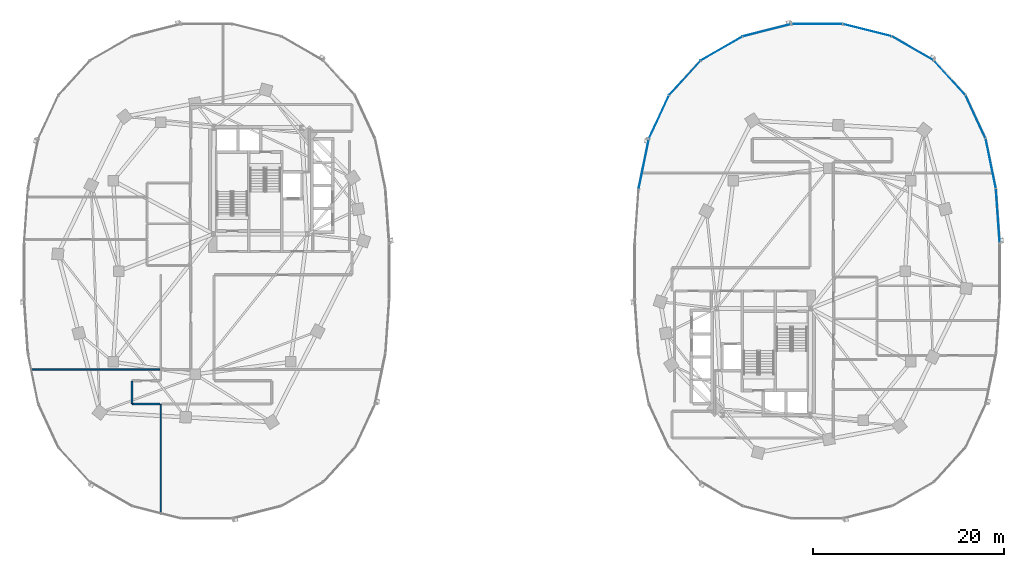
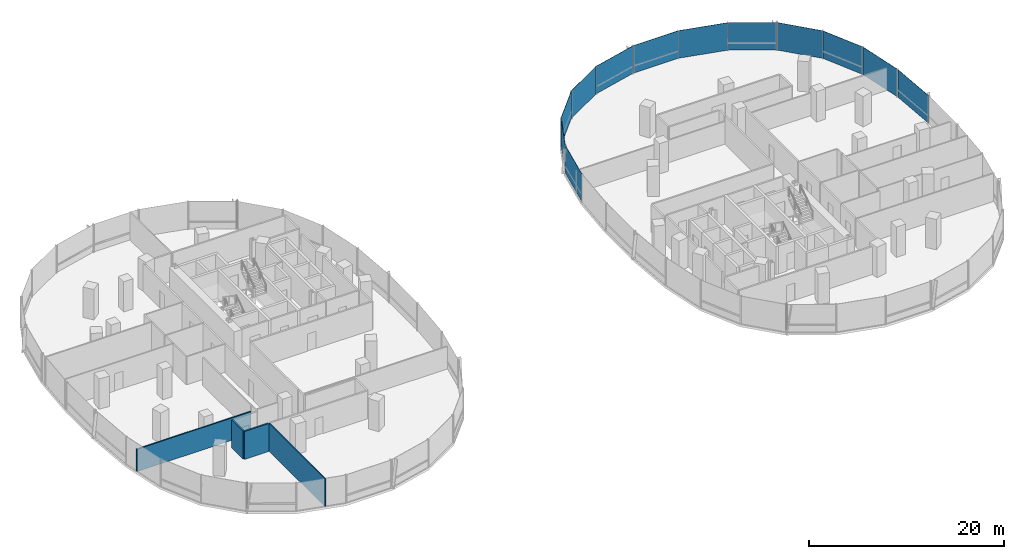
# One storey, part 10 of 21: 12 plates, 4 walls, 2 elements without a shape of their own.
"""IFC4 building model written with IfcOpenShell, lengths in metres."""

from ifc_helpers import new_model, si_unit, direction, frame, frame_2d, origin, origin_2d, place, context, subcontext, project, spatial, rectangle, extrude, material, layer, layer_set, type_object, element, aggregate, save


model = new_model("IFC4")

# Units and contexts
model_context = context("Model", 3, precision=1e-05, world=origin(), true_north=direction((0.0, 1.0)))
body_context = subcontext(model_context, "Body", "Model", "MODEL_VIEW")
ifc_project = project(units=[si_unit("LENGTHUNIT", "METRE"), si_unit("AREAUNIT", "SQUARE_METRE"), si_unit("VOLUMEUNIT", "CUBIC_METRE"), si_unit("PLANEANGLEUNIT", "RADIAN"), si_unit("MASSUNIT", "GRAM", prefix="KILO"), si_unit("THERMODYNAMICTEMPERATUREUNIT", "KELVIN"), si_unit("POWERUNIT", "WATT")], contexts=[model_context])

# Site, building, storey
site_placement = place(None, origin())
site = spatial("IfcSite", under=ifc_project, at=site_placement, CompositionType="ELEMENT")
building_placement = place(site_placement, origin())
building = spatial("IfcBuilding", under=site, at=building_placement, Name="Cundina Bronze Exchange", CompositionType="ELEMENT")
storey_placement = place(building_placement, frame((0.0, 0.0, 54.39990234375)))
storey = spatial("IfcBuildingStorey", under=building, at=storey_placement, Name="L13", CompositionType="ELEMENT", Elevation=54.39990234375)

# Curtain wall, plates
ifc_material_1 = material(Name="Anodised Bronze Aluminium 6063-T6", Category="aluminium")
curtain_wall_type = type_object("IfcCurtainWallType", Name="CWS-TRD-LOW", PredefinedType="NOTDEFINED", material=ifc_material_1)
curtain_wall_1_placement = place(storey_placement, origin())
curtain_wall_1 = element("IfcCurtainWall", 1, at=curtain_wall_1_placement, inside=storey, type_object=curtain_wall_type, Name="L13 CW-02 Curtain Wall Run CWR-L13-E1", PredefinedType="NOTDEFINED")
ifc_material_2 = material(Name="Heat-Strengthened Solar-Control Bronze Safety Glass 28mm", Category="glass")
ifc_layer_1 = layer(ifc_material_2, 0.028076171875, Name="Heat-Strengthened Solar-Control Bronze Safety Glass 28mm", Category="glass")
ifc_layer_set_1 = layer_set([ifc_layer_1], Name="Heat-Strengthened Solar-Control Bronze Safety Glass 28mm")
plate_type_1 = type_object("IfcPlateType", Name="PLT-GLZ-VIS28", PredefinedType="CURTAIN_PANEL", material=ifc_layer_set_1)
plate_1_placement = place(storey_placement, frame((50.9267578125, 5.783935546875, 0.02001953125), z_axis=(0.0, 0.0, 1.0), x_axis=(-0.070278787473, 0.997527389113, 0.0)))
plate_1 = element("IfcPlate", 2, at=plate_1_placement, type_object=plate_type_1, Name="CW-02 Glazed Panel 1", PredefinedType="CURTAIN_PANEL", context=body_context, shape_type="SweptSolid", body=[
    extrude(rectangle(XDim=5.644287109375, YDim=0.028076171875, at=origin_2d()), origin(), (0.0, 0.0, 1.0), 3.4599609375),
])
plate_2_placement = place(storey_placement, frame((48.586181640625, 16.177734375, 0.02001953125), z_axis=(0.0, 0.0, 1.0), x_axis=(-0.42084583328, 0.907132175932, 0.0)))
plate_2 = element("IfcPlate", 3, at=plate_2_placement, type_object=plate_type_1, Name="CW-02 Glazed Panel 3", PredefinedType="CURTAIN_PANEL", context=body_context, shape_type="SweptSolid", body=[
    extrude(rectangle(XDim=4.966552734375, YDim=0.028076171875, at=origin_2d()), origin(), (0.0, 0.0, 1.0), 3.4599609375),
])
plate_3_placement = place(storey_placement, frame((45.8740234375, 20.267333984375, 0.02001953125), z_axis=(0.0, 0.0, 1.0), x_axis=(-0.674276610219, 0.73847887777, 0.0)))
plate_3 = element("IfcPlate", 4, at=plate_3_placement, type_object=plate_type_1, Name="CW-02 Glazed Panel 4", PredefinedType="CURTAIN_PANEL", context=body_context, shape_type="SweptSolid", body=[
    extrude(rectangle(XDim=4.86328125, YDim=0.028076171875, at=origin_2d()), origin(), (0.0, 0.0, 1.0), 3.4599609375),
])
plate_4_placement = place(storey_placement, frame((42.019287109375, 23.34423828125, 0.02001953125), z_axis=(0.0, 0.0, 1.0), x_axis=(-0.867105478933, 0.498124571171, 0.0)))
plate_4 = element("IfcPlate", 5, at=plate_4_placement, type_object=plate_type_1, Name="CW-02 Glazed Panel 5", PredefinedType="CURTAIN_PANEL", context=body_context, shape_type="SweptSolid", body=[
    extrude(rectangle(XDim=5.021240234375, YDim=0.028076171875, at=origin_2d()), origin(), (0.0, 0.0, 1.0), 3.4599609375),
])
plate_5_placement = place(storey_placement, frame((37.255615234375, 25.256591796875, 0.02001953125), z_axis=(0.0, 0.0, 1.0), x_axis=(-0.969488149345, 0.245138182011, 0.0)))
plate_5 = element("IfcPlate", 6, at=plate_5_placement, type_object=plate_type_1, Name="CW-02 Glazed Panel 6", PredefinedType="CURTAIN_PANEL", context=body_context, shape_type="SweptSolid", body=[
    extrude(rectangle(XDim=5.2333984375, YDim=0.028076171875, at=origin_2d()), origin(), (0.0, 0.0, 1.0), 3.4599609375),
])

curtain_wall_2_placement = place(storey_placement, origin())
curtain_wall_2 = element("IfcCurtainWall", 7, at=curtain_wall_2_placement, inside=storey, type_object=curtain_wall_type, Name="L13 CW-02 Curtain Wall Run CWR-L13-E2", PredefinedType="NOTDEFINED")
plate_6_placement = place(storey_placement, frame((21.980712890625, 23.34423828125, 0.02001953125), z_axis=(0.0, 0.0, 1.0), x_axis=(-0.867105478933, -0.498124571171, 0.0)))
plate_6 = element("IfcPlate", 8, at=plate_6_placement, type_object=plate_type_1, Name="CW-02 Glazed Panel 2", PredefinedType="CURTAIN_PANEL", context=body_context, shape_type="SweptSolid", body=[
    extrude(rectangle(XDim=5.021240234375, YDim=0.028076171875, at=origin_2d()), origin(), (0.0, 0.0, 1.0), 3.4599609375),
])
plate_7_placement = place(storey_placement, frame((18.1259765625, 20.267333984375, 0.02001953125), z_axis=(0.0, 0.0, 1.0), x_axis=(-0.674276610219, -0.73847887777, 0.0)))
plate_7 = element("IfcPlate", 9, at=plate_7_placement, type_object=plate_type_1, Name="CW-02 Glazed Panel 3", PredefinedType="CURTAIN_PANEL", context=body_context, shape_type="SweptSolid", body=[
    extrude(rectangle(XDim=4.86328125, YDim=0.028076171875, at=origin_2d()), origin(), (0.0, 0.0, 1.0), 3.4599609375),
])
plate_8_placement = place(storey_placement, frame((15.413818359375, 16.177734375, 0.02001953125), z_axis=(0.0, 0.0, 1.0), x_axis=(-0.42084583328, -0.907132175932, 0.0)))
plate_8 = element("IfcPlate", 10, at=plate_8_placement, type_object=plate_type_1, Name="CW-02 Glazed Panel 4", PredefinedType="CURTAIN_PANEL", context=body_context, shape_type="SweptSolid", body=[
    extrude(rectangle(XDim=4.966552734375, YDim=0.028076171875, at=origin_2d()), origin(), (0.0, 0.0, 1.0), 3.4599609375),
])
plate_9_placement = place(storey_placement, frame((13.81591796875, 11.269775390625, 0.02001953125), z_axis=(0.0, 0.0, 1.0), x_axis=(-0.201419845156, -0.979505000486, 0.0)))
plate_9 = element("IfcPlate", 11, at=plate_9_placement, type_object=plate_type_1, Name="CW-02 Glazed Panel 5", PredefinedType="CURTAIN_PANEL", context=body_context, shape_type="SweptSolid", body=[
    extrude(rectangle(XDim=5.306640625, YDim=0.028076171875, at=origin_2d()), origin(), (0.0, 0.0, 1.0), 3.4599609375),
])

# Plate
ifc_material_3 = material(Name="Dark Bronze Spandrel Glass Panel 32mm", Category="glass")
ifc_layer_2 = layer(ifc_material_3, 0.031982421875, Name="Dark Bronze Spandrel Glass Panel 32mm", Category="glass")
ifc_layer_set_2 = layer_set([ifc_layer_2], Name="Dark Bronze Spandrel Glass Panel 32mm")
plate_type_2 = type_object("IfcPlateType", Name="PLT-SPN-BRZ32", PredefinedType="CURTAIN_PANEL", material=ifc_layer_set_2)
plate_10_placement = place(storey_placement, frame((50.18408203125, 11.269775390625, 0.02001953125), z_axis=(0.0, 0.0, 1.0), x_axis=(-0.201419845156, 0.979505000486, 0.0)))
plate_10 = element("IfcPlate", 12, at=plate_10_placement, type_object=plate_type_2, Name="CW-02 Glazed Panel 2", PredefinedType="CURTAIN_PANEL", context=body_context, shape_type="SweptSolid", body=[
    extrude(rectangle(XDim=5.306640625, YDim=0.031982421875, at=origin_2d()), origin(), (0.0, 0.0, 1.0), 3.4599609375),
])

plate_11_placement = place(storey_placement, frame((32.0, 25.905029296875, 0.02001953125), z_axis=(0.0, 0.0, 1.0), x_axis=(-1.0, 0.0, 0.0)))
plate_11 = element("IfcPlate", 13, at=plate_11_placement, type_object=plate_type_2, Name="CW-02 Glazed Panel 7", PredefinedType="CURTAIN_PANEL", context=body_context, shape_type="SweptSolid", body=[
    extrude(rectangle(XDim=5.323974609375, YDim=0.031982421875, at=origin_2d()), origin(), (0.0, 0.0, 1.0), 3.4599609375),
])

aggregate(curtain_wall_1, [plate_1, plate_10, plate_2, plate_3, plate_4, plate_5, plate_11])

plate_12_placement = place(storey_placement, frame((26.744384765625, 25.256591796875, 0.02001953125), z_axis=(0.0, 0.0, 1.0), x_axis=(-0.969488149345, -0.245138182011, 0.0)))
plate_12 = element("IfcPlate", 14, at=plate_12_placement, type_object=plate_type_2, Name="CW-02 Glazed Panel 1", PredefinedType="CURTAIN_PANEL", context=body_context, shape_type="SweptSolid", body=[
    extrude(rectangle(XDim=5.2333984375, YDim=0.031982421875, at=origin_2d()), origin(), (0.0, 0.0, 1.0), 3.4599609375),
])

aggregate(curtain_wall_2, [plate_12, plate_6, plate_7, plate_8, plate_9])

# Walls
ifc_material_4 = material(Name="Gypsum Fireboard Partition EI120")
ifc_layer_3 = layer(ifc_material_4, 0.179931640625, Name="Gypsum Fireboard Partition EI120")
ifc_layer_set_3 = layer_set([ifc_layer_3], Name="Gypsum Fireboard Partition EI120")
wall_type_1 = type_object("IfcWallType", Name="WL-COR-180", PredefinedType="PARTITIONING", material=ifc_layer_set_3)
wall_1_placement = place(storey_placement, frame((-39.778564453125, -13.919921875, 0.0), z_axis=(0.0, 0.0, 1.0), x_axis=(1.0, 0.0, 0.0)))
element("IfcWall", 15, at=wall_1_placement, inside=storey, type_object=wall_type_1, Name="L13 Interior Partition 028", PredefinedType="PARTITIONING", context=body_context, shape_type="SweptSolid", body=[
    extrude(rectangle(XDim=2.86865234375, YDim=0.179931640625, at=frame_2d((1.434326171875, 0.0))), origin(), (0.0, 0.0, 1.0), 3.5),
])
wall_2_placement = place(storey_placement, frame((-39.820068359375, -11.521484375, 0.0), z_axis=(0.0, 0.0, 1.0), x_axis=(0.0, -1.0, 0.0)))
element("IfcWall", 16, at=wall_2_placement, inside=storey, type_object=wall_type_1, Name="L13 Interior Partition 029", PredefinedType="PARTITIONING", context=body_context, shape_type="SweptSolid", body=[
    extrude(rectangle(XDim=2.35693359375, YDim=0.179931640625, at=frame_2d((1.178466796875, 0.0))), origin(), (0.0, 0.0, 1.0), 3.5),
])
ifc_material_5 = material(Name="Gypsum Acoustic Partition EI60")
ifc_layer_4 = layer(ifc_material_5, 0.125, Name="Gypsum Acoustic Partition EI60")
ifc_layer_set_4 = layer_set([ifc_layer_4], Name="Gypsum Acoustic Partition EI60")
wall_type_2 = type_object("IfcWallType", Name="WL-OFF-125", PredefinedType="PARTITIONING", material=ifc_layer_set_4)
wall_3_placement = place(storey_placement, frame((-36.820068359375, -25.44970703125, 0.0), z_axis=(0.0, 0.0, 1.0), x_axis=(0.0, 1.0, 0.0)))
element("IfcWall", 17, at=wall_3_placement, inside=storey, type_object=wall_type_2, Name="L13 Interior Partition 015", PredefinedType="PARTITIONING", context=body_context, shape_type="SweptSolid", body=[
    extrude(rectangle(XDim=11.499755859375, YDim=0.125, at=frame_2d((5.75, 0.0))), origin(), (0.0, 0.0, 1.0), 3.5),
])
ifc_layer_5 = layer(ifc_material_5, 0.14990234375, Name="Gypsum Acoustic Partition EI60")
ifc_layer_set_5 = layer_set([ifc_layer_5], Name="Gypsum Acoustic Partition EI60")
wall_type_3 = type_object("IfcWallType", Name="WL-TEN-150", PredefinedType="PARTITIONING", material=ifc_layer_set_5)
wall_4_placement = place(storey_placement, frame((-50.463623046875, -10.31005859375, 0.0), z_axis=(0.0, 0.0, 1.0), x_axis=(1.0, 0.0, 0.0)))
element("IfcWall", 18, at=wall_4_placement, inside=storey, type_object=wall_type_3, Name="L13 Interior Partition 018", PredefinedType="PARTITIONING", context=body_context, shape_type="SweptSolid", body=[
    extrude(rectangle(XDim=13.548583984375, YDim=0.14990234375, at=frame_2d((6.7744140625, 0.0))), origin(), (0.0, 0.0, 1.0), 2.80517578125),
])

save(model, "model.ifc")
